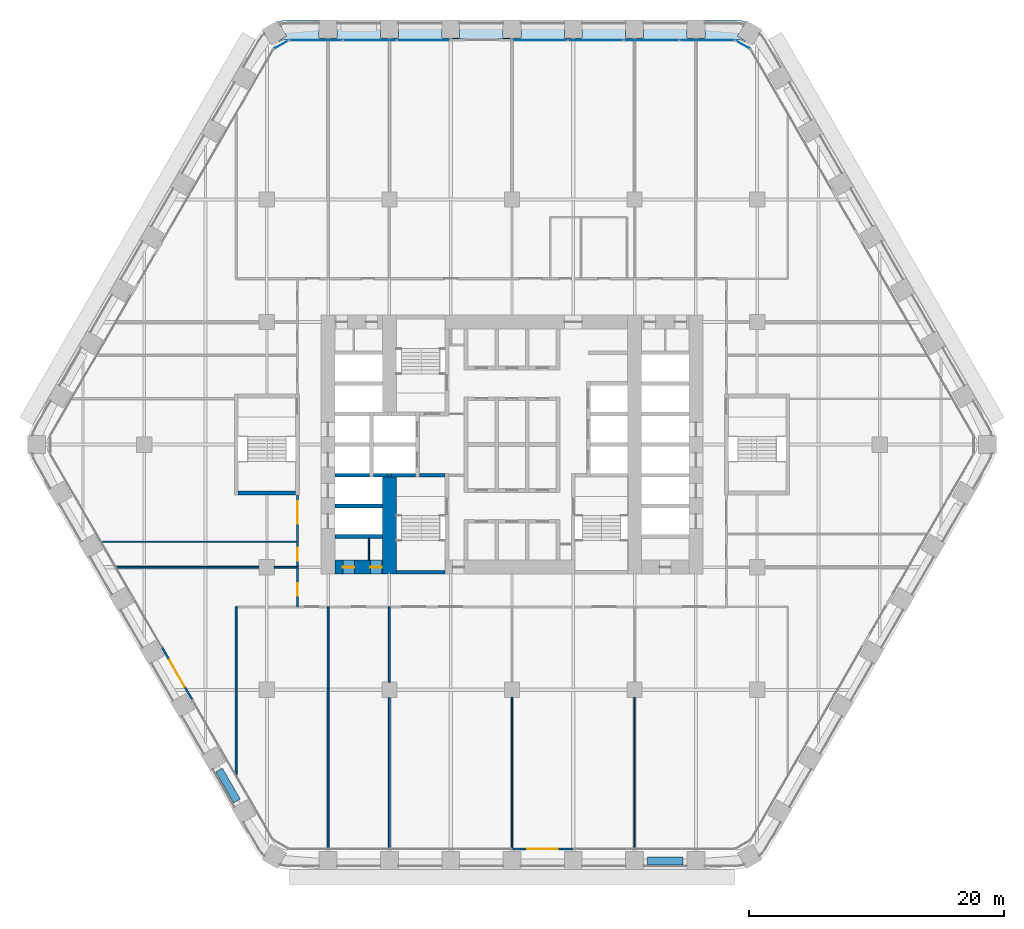
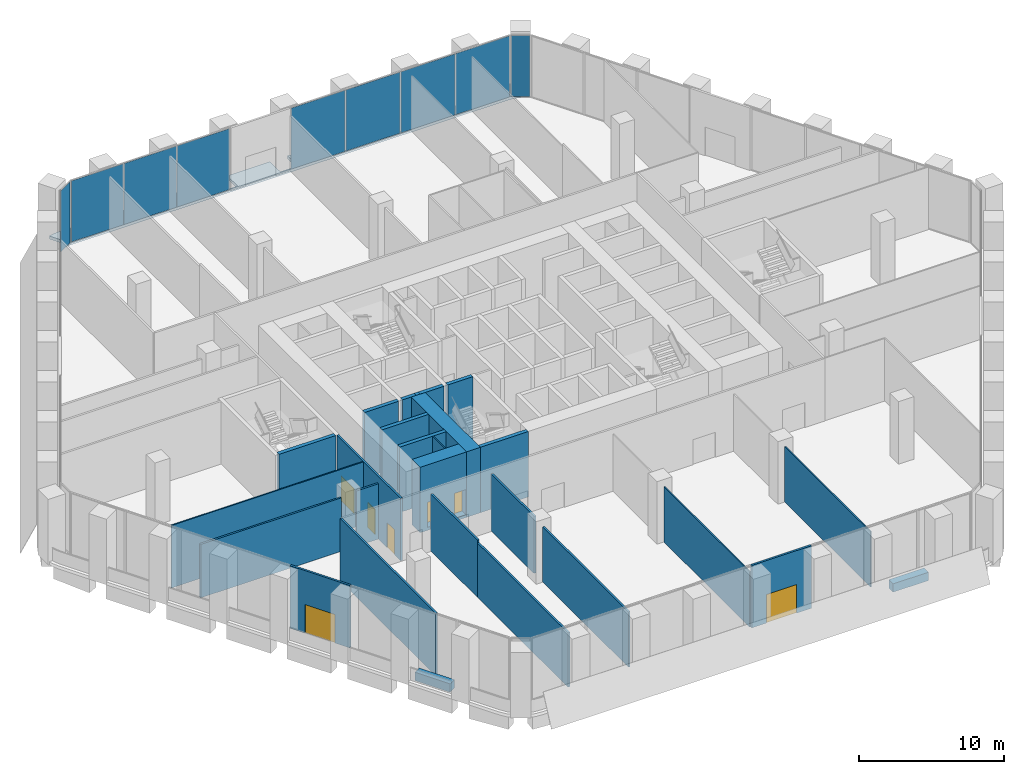
# One storey, part 17 of 27: 27 walls, 9 plates, 7 doors, 1 slab, 7 openings, 4 elements without a shape of their own.
"""IFC4 building model written with IfcOpenShell, lengths in metres."""

from ifc_helpers import new_model, si_unit, direction, frame, frame_2d, origin, origin_2d, place, context, subcontext, project, spatial, polyline, rectangle, outline, extrude, material, layer, layer_set, type_object, element, fill, aggregate, save


model = new_model("IFC4")

# Units and contexts
model_context = context("Model", 3, precision=1e-05, world=origin(), true_north=direction((0.0, 1.0)))
body_context = subcontext(model_context, "Body", "Model", "MODEL_VIEW")
ifc_project = project(units=[si_unit("LENGTHUNIT", "METRE"), si_unit("AREAUNIT", "SQUARE_METRE"), si_unit("VOLUMEUNIT", "CUBIC_METRE"), si_unit("PLANEANGLEUNIT", "RADIAN"), si_unit("MASSUNIT", "GRAM", prefix="KILO")], contexts=[model_context])

# Site, building, storey
site_placement = place(None, origin())
site = spatial("IfcSite", under=ifc_project, at=site_placement, CompositionType="ELEMENT")
building_placement = place(site_placement, origin())
building = spatial("IfcBuilding", under=site, at=building_placement, Name="Kolab Exchange Tower", CompositionType="ELEMENT")
storey_placement = place(building_placement, frame((0.0, 0.0, 27.89990234375)))
storey = spatial("IfcBuildingStorey", under=building, at=storey_placement, Name="L05", CompositionType="ELEMENT", Elevation=27.89990234375)

# Slab
ifc_material_1 = material(Name="Concrete C35/45", Category="concrete")
ifc_layer_1 = layer(ifc_material_1, 0.25)
ifc_layer_set_1 = layer_set([ifc_layer_1], Name="Concrete C35/45")
slab_type = type_object("IfcSlabType", Name="LOGGIA SLAB 250", PredefinedType="FLOOR", material=ifc_layer_set_1)
slab_placement = place(storey_placement, frame((0.0, 0.0, -0.25)))
element("IfcSlab", 1, at=slab_placement, inside=storey, type_object=slab_type, Name="slab/L05/loggia/0-0", PredefinedType="FLOOR", context=body_context, shape_type="SweptSolid", body=[
    extrude(outline(polyline([(18.218017578125, 31.554443359375), (18.26806640625, 31.64111328125), (17.66162109375, 31.990966796875), (18.31494140625, 33.122314453125), (17.989013671875, 33.209716796875), (17.468017578125, 33.25537109375), (15.10009765625, 33.25537109375), (15.10009765625, 31.85546875), (13.699951171875, 31.85546875), (13.699951171875, 33.25537109375), (10.300048828125, 33.25537109375), (10.300048828125, 31.85546875), (8.89990234375, 31.85546875), (8.89990234375, 33.25537109375), (5.5, 33.25537109375), (5.5, 31.85546875), (4.10009765625, 31.85546875), (4.10009765625, 33.25537109375), (0.699951171875, 33.25537109375), (0.699951171875, 31.85546875), (-0.699951171875, 31.85546875), (-0.699951171875, 33.25537109375), (-4.10009765625, 33.25537109375), (-4.10009765625, 31.85546875), (-5.5, 31.85546875), (-5.5, 33.25537109375), (-8.89990234375, 33.25537109375), (-8.89990234375, 31.85546875), (-10.300048828125, 31.85546875), (-10.300048828125, 33.25537109375), (-13.699951171875, 33.25537109375), (-13.699951171875, 31.85546875), (-15.10009765625, 31.85546875), (-15.10009765625, 33.25537109375), (-17.468017578125, 33.25537109375), (-17.989013671875, 33.209716796875), (-18.31494140625, 33.122314453125), (-17.66162109375, 31.990966796875), (-18.26806640625, 31.64111328125), (-18.218017578125, 31.554443359375), (-17.98095703125, 31.664794921875), (-17.728515625, 31.732666015625), (-17.468017578125, 31.75537109375), (17.468017578125, 31.75537109375), (17.728515625, 31.732666015625), (17.98095703125, 31.664794921875), (18.218017578125, 31.554443359375)])), origin(), (0.0, 0.0, 1.0), 0.25),
])

# Curtain wall, plates
ifc_material_2 = material(Name="Aluminium EN AW-6063 T6", Category="aluminium")
curtain_wall_type = type_object("IfcCurtainWallType", Name="UNITISED LOW ZONE CURTAIN WALL", PredefinedType="NOTDEFINED", material=ifc_material_2)
curtain_wall_1_placement = place(storey_placement, origin())
curtain_wall_1 = element("IfcCurtainWall", 2, at=curtain_wall_1_placement, inside=storey, type_object=curtain_wall_type, Name="cw/L05/F1-1", PredefinedType="NOTDEFINED")
ifc_material_3 = material(Name="Clear insulated glazing unit", Category="glass")
ifc_layer_2 = layer(ifc_material_3, 0.02392578125)
ifc_layer_set_2 = layer_set([ifc_layer_2], Name="Clear insulated glazing unit")
plate_type = type_object("IfcPlateType", Name="UNITISED LOW ZONE GLASS PANEL 24", PredefinedType="CURTAIN_PANEL", material=ifc_layer_set_2)
plate_1_placement = place(storey_placement, frame((-15.341552734375, 31.67529296875, 0.06005859375), z_axis=(0.0, 0.0, 1.0), x_axis=(1.0, 0.0, 0.0)))
plate_1 = element("IfcPlate", 3, at=plate_1_placement, type_object=plate_type, Name="CW1 panel 1.1", PredefinedType="CURTAIN_PANEL", context=body_context, shape_type="SweptSolid", body=[
    extrude(rectangle(XDim=4.132568359375, YDim=0.02392578125, at=origin_2d()), origin(), (0.0, 0.0, 1.0), 5.1298828125),
])
plate_2_placement = place(storey_placement, frame((-11.134033203125, 31.67529296875, 0.06005859375), z_axis=(0.0, 0.0, 1.0), x_axis=(1.0, 0.0, 0.0)))
plate_2 = element("IfcPlate", 4, at=plate_2_placement, type_object=plate_type, Name="CW1 panel 2.1", PredefinedType="CURTAIN_PANEL", context=body_context, shape_type="SweptSolid", body=[
    extrude(rectangle(XDim=4.16259765625, YDim=0.02392578125, at=origin_2d()), origin(), (0.0, 0.0, 1.0), 5.1298828125),
])
plate_3_placement = place(storey_placement, frame((-6.92626953125, 31.67529296875, 0.06005859375), z_axis=(0.0, 0.0, 1.0), x_axis=(1.0, 0.0, 0.0)))
plate_3 = element("IfcPlate", 5, at=plate_3_placement, type_object=plate_type, Name="CW1 panel 3.1", PredefinedType="CURTAIN_PANEL", context=body_context, shape_type="SweptSolid", body=[
    extrude(rectangle(XDim=4.132568359375, YDim=0.02392578125, at=origin_2d()), origin(), (0.0, 0.0, 1.0), 5.1298828125),
])
aggregate(curtain_wall_1, [plate_1, plate_2, plate_3])

curtain_wall_2_placement = place(storey_placement, origin())
curtain_wall_2 = element("IfcCurtainWall", 6, at=curtain_wall_2_placement, inside=storey, type_object=curtain_wall_type, Name="cw/L05/F1-2", PredefinedType="NOTDEFINED")
plate_4_placement = place(storey_placement, frame((2.198486328125, 31.67529296875, 0.06005859375), z_axis=(0.0, 0.0, 1.0), x_axis=(1.0, 0.0, 0.0)))
plate_4 = element("IfcPlate", 7, at=plate_4_placement, type_object=plate_type, Name="CW1 panel 1.1", PredefinedType="CURTAIN_PANEL", context=body_context, shape_type="SweptSolid", body=[
    extrude(rectangle(XDim=4.277099609375, YDim=0.02392578125, at=origin_2d()), origin(), (0.0, 0.0, 1.0), 5.1298828125),
])
plate_5_placement = place(storey_placement, frame((6.550537109375, 31.67529296875, 0.06005859375), z_axis=(0.0, 0.0, 1.0), x_axis=(1.0, 0.0, 0.0)))
plate_5 = element("IfcPlate", 8, at=plate_5_placement, type_object=plate_type, Name="CW1 panel 2.1", PredefinedType="CURTAIN_PANEL", context=body_context, shape_type="SweptSolid", body=[
    extrude(rectangle(XDim=4.306884765625, YDim=0.02392578125, at=origin_2d()), origin(), (0.0, 0.0, 1.0), 5.1298828125),
])
plate_6_placement = place(storey_placement, frame((10.91748046875, 31.67529296875, 0.06005859375), z_axis=(0.0, 0.0, 1.0), x_axis=(1.0, 0.0, 0.0)))
plate_6 = element("IfcPlate", 9, at=plate_6_placement, type_object=plate_type, Name="CW1 panel 3.1", PredefinedType="CURTAIN_PANEL", context=body_context, shape_type="SweptSolid", body=[
    extrude(rectangle(XDim=4.306884765625, YDim=0.02392578125, at=origin_2d()), origin(), (0.0, 0.0, 1.0), 5.1298828125),
])
plate_7_placement = place(storey_placement, frame((15.26953125, 31.67529296875, 0.06005859375), z_axis=(0.0, 0.0, 1.0), x_axis=(1.0, 0.0, 0.0)))
plate_7 = element("IfcPlate", 10, at=plate_7_placement, type_object=plate_type, Name="CW1 panel 4.1", PredefinedType="CURTAIN_PANEL", context=body_context, shape_type="SweptSolid", body=[
    extrude(rectangle(XDim=4.277099609375, YDim=0.02392578125, at=origin_2d()), origin(), (0.0, 0.0, 1.0), 5.1298828125),
])
aggregate(curtain_wall_2, [plate_4, plate_5, plate_6, plate_7])

# Curtain wall, plate
curtain_wall_3_placement = place(storey_placement, origin())
curtain_wall_3 = element("IfcCurtainWall", 11, at=curtain_wall_3_placement, inside=storey, type_object=curtain_wall_type, Name="cw/L05/F1F2-corner", PredefinedType="NOTDEFINED")
plate_8_placement = place(storey_placement, frame((18.082763671875, 31.3203125, 0.06005859375), z_axis=(0.0, 0.0, 1.0), x_axis=(0.866025390869, -0.50000002237, 0.0)))
plate_8 = element("IfcPlate", 12, at=plate_8_placement, type_object=plate_type, Name="CW1 panel 1.1", PredefinedType="CURTAIN_PANEL", context=body_context, shape_type="SweptSolid", body=[
    extrude(rectangle(XDim=1.300048828125, YDim=0.02392578125, at=origin_2d()), origin(), (0.0, 0.0, 1.0), 5.1298828125),
])
aggregate(curtain_wall_3, [plate_8])

curtain_wall_4_placement = place(storey_placement, origin())
curtain_wall_4 = element("IfcCurtainWall", 13, at=curtain_wall_4_placement, inside=storey, type_object=curtain_wall_type, Name="cw/L05/F6F1-corner", PredefinedType="NOTDEFINED")
plate_9_placement = place(storey_placement, frame((-18.082763671875, 31.3203125, 0.06005859375), z_axis=(0.0, 0.0, 1.0), x_axis=(0.866025390869, 0.50000002237, 0.0)))
plate_9 = element("IfcPlate", 14, at=plate_9_placement, type_object=plate_type, Name="CW1 panel 1.1", PredefinedType="CURTAIN_PANEL", context=body_context, shape_type="SweptSolid", body=[
    extrude(rectangle(XDim=1.300048828125, YDim=0.02392578125, at=origin_2d()), origin(), (0.0, 0.0, 1.0), 5.1298828125),
])
aggregate(curtain_wall_4, [plate_9])

# Wall, openings, doors
ifc_material_4 = material(Name="Concrete C80/95", Category="concrete")
ifc_layer_3 = layer(ifc_material_4, 1.10009765625)
ifc_layer_set_3 = layer_set([ifc_layer_3], Name="Concrete C80/95")
wall_type_1 = type_object("IfcWallType", Name="CORE WALL 1100 C80/95", PredefinedType="SHEAR", material=ifc_layer_set_3)
wall_1_placement = place(storey_placement, frame((-13.85009765625, -9.60009765625, -0.25), z_axis=(0.0, 0.0, 1.0), x_axis=(1.0, 0.0, 0.0)))
wall_1 = element("IfcWall", 15, at=wall_1_placement, inside=storey, type_object=wall_type_1, Name="wall/L05/core/002", PredefinedType="SHEAR", context=body_context, shape_type="SweptSolid", body=[
    extrude(rectangle(XDim=3.7001953125, YDim=1.10009765625, at=frame_2d((1.85009765625, 0.0))), origin(), (0.0, 0.0, 1.0), 5.5),
])
opening_1_placement = place(wall_1_placement, frame((0.60009765625, 0.0, 0.25)))
opening_1 = element("IfcOpeningElement", 16, at=opening_1_placement, cuts=wall_1, Name="Opening D6-101", PredefinedType="OPENING", context=body_context, shape_type="SweptSolid", body=[
    extrude(rectangle(XDim=0.89990234375, YDim=2.10009765625, at=frame_2d((0.449951171875, 1.050048828125))), frame((0.0, 0.56005859375, 0.0), z_axis=(0.0, -1.0, 0.0), x_axis=(1.0, 0.0, 0.0)), (0.0, 0.0, 1.0), 1.1201171875),
])
opening_2_placement = place(wall_1_placement, frame((2.75, 0.0, 0.25)))
opening_2 = element("IfcOpeningElement", 17, at=opening_2_placement, cuts=wall_1, Name="Opening D6-102", PredefinedType="OPENING", context=body_context, shape_type="SweptSolid", body=[
    extrude(rectangle(XDim=0.89990234375, YDim=2.10009765625, at=frame_2d((0.449951171875, 1.050048828125))), frame((0.0, 0.56005859375, 0.0), z_axis=(0.0, -1.0, 0.0), x_axis=(1.0, 0.0, 0.0)), (0.0, 0.0, 1.0), 1.1201171875),
])
ifc_material_5 = material(Name="Steel S235", Category="steel")
door_type_1 = type_object("IfcDoorType", Name="CORE DOOR 900 EI 120", OperationType="SINGLE_SWING_LEFT", PredefinedType="DOOR", material=ifc_material_5)
door_1_placement = place(opening_1_placement, origin())
door_1 = element("IfcDoor", 18, at=door_1_placement, inside=storey, type_object=door_type_1, Name="Service room door", OperationType="SINGLE_SWING_RIGHT", OverallHeight=2.10009765625, OverallWidth=0.89990234375, PredefinedType="DOOR", context=body_context, shape_type="SweptSolid", body=[
    extrude(rectangle(XDim=0.89990234375, YDim=2.10009765625, at=frame_2d((0.449951171875, 1.050048828125))), frame((0.0, 0.02490234375, 0.0), z_axis=(0.0, -1.0, 0.0), x_axis=(1.0, 0.0, 0.0)), (0.0, 0.0, 1.0), 0.050048828125),
])
fill(opening_1, door_1)
door_2_placement = place(opening_2_placement, origin())
door_2 = element("IfcDoor", 19, at=door_2_placement, inside=storey, type_object=door_type_1, Name="Service room door", OperationType="SINGLE_SWING_LEFT", OverallHeight=2.10009765625, OverallWidth=0.89990234375, PredefinedType="DOOR", context=body_context, shape_type="SweptSolid", body=[
    extrude(rectangle(XDim=0.89990234375, YDim=2.10009765625, at=frame_2d((0.449951171875, 1.050048828125))), frame((0.0, 0.02490234375, 0.0), z_axis=(0.0, -1.0, 0.0), x_axis=(1.0, 0.0, 0.0)), (0.0, 0.0, 1.0), 0.050048828125),
])
fill(opening_2, door_2)

# Wall
wall_2_placement = place(storey_placement, frame((-9.60009765625, -10.14990234375, -0.25), z_axis=(0.0, 0.0, 1.0), x_axis=(0.0, 1.0, 0.0)))
element("IfcWall", 20, at=wall_2_placement, inside=storey, type_object=wall_type_1, Name="wall/L05/core/059", PredefinedType="SHEAR", context=body_context, shape_type="SweptSolid", body=[
    extrude(rectangle(XDim=7.599853515625, YDim=1.10009765625, at=frame_2d((3.7998046875, 0.0))), origin(), (0.0, 0.0, 1.0), 5.5),
])

# Wall, opening, door
ifc_layer_4 = layer(ifc_material_2, 0.159912109375)
ifc_layer_set_4 = layer_set([ifc_layer_4], Name="Aluminium EN AW-6063 T6")
wall_type_2 = type_object("IfcWallType", Name="DOOR SURROUND WALL 160 ALUMINIUM FRAMED", PredefinedType="PARTITIONING", material=ifc_layer_set_4)
wall_3_placement = place(storey_placement, frame((4.77001953125, -31.67529296875, 0.0), z_axis=(0.0, 0.0, 1.0), x_axis=(-1.0, 0.0, 0.0)))
wall_3 = element("IfcWall", 21, at=wall_3_placement, inside=storey, type_object=wall_type_2, Name="Door surround wall", PredefinedType="PARTITIONING", context=body_context, shape_type="SweptSolid", body=[
    extrude(rectangle(XDim=4.739990234375, YDim=0.159912109375, at=frame_2d((2.3701171875, 0.0))), origin(), (0.0, 0.0, 1.0), 5.25),
])
opening_3_placement = place(wall_3_placement, frame((1.169921875, 0.0, 0.0)))
opening_3 = element("IfcOpeningElement", 22, at=opening_3_placement, cuts=wall_3, Name="Opening GD1-020", PredefinedType="OPENING", context=body_context, shape_type="SweptSolid", body=[
    extrude(rectangle(XDim=2.39990234375, YDim=2.39990234375, at=frame_2d((1.199951171875, 1.199951171875))), frame((0.0, 0.08984375, 0.0), z_axis=(0.0, -1.0, 0.0), x_axis=(1.0, 0.0, 0.0)), (0.0, 0.0, 1.0), 0.179931640625),
])
door_type_2 = type_object("IfcDoorType", Name="LOGGIA SLIDING GLASS DOOR 2400 X 2400", OperationType="DOUBLE_DOOR_SINGLE_SWING", PredefinedType="DOOR", material=ifc_material_2)
door_3_placement = place(opening_3_placement, origin())
door_3 = element("IfcDoor", 23, at=door_3_placement, inside=storey, type_object=door_type_2, Name="Loggia door", OperationType="DOUBLE_DOOR_SLIDING", OverallHeight=2.39990234375, OverallWidth=2.39990234375, PredefinedType="DOOR", context=body_context, shape_type="SweptSolid", body=[
    extrude(rectangle(XDim=2.39990234375, YDim=2.39990234375, at=frame_2d((1.199951171875, 1.199951171875))), frame((0.0, 0.02490234375, 0.0), z_axis=(0.0, -1.0, 0.0), x_axis=(1.0, 0.0, 0.0)), (0.0, 0.0, 1.0), 0.050048828125),
])
fill(opening_3, door_3)

wall_4_placement = place(storey_placement, frame((-25.046630859375, -19.96875, 0.0), z_axis=(0.0, 0.0, 1.0), x_axis=(-0.5000167099, 0.866015756104, 0.0)))
wall_4 = element("IfcWall", 24, at=wall_4_placement, inside=storey, type_object=wall_type_2, Name="Door surround wall", PredefinedType="PARTITIONING", context=body_context, shape_type="SweptSolid", body=[
    extrude(rectangle(XDim=4.739990234375, YDim=0.159912109375, at=frame_2d((2.3701171875, 0.0))), origin(), (0.0, 0.0, 1.0), 5.25),
])
opening_4_placement = place(wall_4_placement, frame((1.169921875, 0.0, 0.0)))
opening_4 = element("IfcOpeningElement", 25, at=opening_4_placement, cuts=wall_4, Name="Opening GD1-021", PredefinedType="OPENING", context=body_context, shape_type="SweptSolid", body=[
    extrude(rectangle(XDim=2.39990234375, YDim=2.39990234375, at=frame_2d((1.199951171875, 1.199951171875))), frame((0.0, 0.08984375, 0.0), z_axis=(0.0, -1.0, 0.0), x_axis=(1.0, 0.0, 0.0)), (0.0, 0.0, 1.0), 0.179931640625),
])
door_4_placement = place(opening_4_placement, origin())
door_4 = element("IfcDoor", 26, at=door_4_placement, inside=storey, type_object=door_type_2, Name="Loggia door", OperationType="DOUBLE_DOOR_SLIDING", OverallHeight=2.39990234375, OverallWidth=2.39990234375, PredefinedType="DOOR", context=body_context, shape_type="SweptSolid", body=[
    extrude(rectangle(XDim=2.39990234375, YDim=2.39990234375, at=frame_2d((1.199951171875, 1.199951171875))), frame((0.0, 0.02490234375, 0.0), z_axis=(0.0, -1.0, 0.0), x_axis=(1.0, 0.0, 0.0)), (0.0, 0.0, 1.0), 0.050048828125),
])
fill(opening_4, door_4)

# Walls
ifc_material_6 = material(Name="Concrete C50/60", Category="concrete")
ifc_layer_5 = layer(ifc_material_6, 0.300048828125)
ifc_layer_set_5 = layer_set([ifc_layer_5], Name="Concrete C50/60")
wall_type_3 = type_object("IfcWallType", Name="LIFT SHAFT WALL 300 C50/60", PredefinedType="STANDARD", material=ifc_layer_set_5)
for number, where, z_axis, x_axis, name in (
    (27, (-13.85009765625, -7.199951171875, -0.25), (0.0, 0.0, 1.0), (1.0, 0.0, 0.0), "wall/L05/core/005"),
    (28, (-13.85009765625, -4.800048828125, -0.25), (0.0, 0.0, 1.0), (1.0, 0.0, 0.0), "wall/L05/core/010"),
):
    element("IfcWall", number, at=place(storey_placement, frame(where, z_axis=z_axis, x_axis=x_axis)), inside=storey, type_object=wall_type_3, Name=name, PredefinedType="STANDARD", context=body_context, shape_type="SweptSolid", body=[
        extrude(rectangle(XDim=3.7001953125, YDim=0.300048828125, at=frame_2d((1.85009765625, 0.0))), origin(), (0.0, 0.0, 1.0), 5.5),
    ])
wall_5_placement = place(storey_placement, frame((-13.85009765625, -2.39990234375, -0.25), z_axis=(0.0, 0.0, 1.0), x_axis=(1.0, 0.0, 0.0)))
element("IfcWall", 29, at=wall_5_placement, inside=storey, type_object=wall_type_3, Name="wall/L05/core/017", PredefinedType="STANDARD", context=body_context, shape_type="SweptSolid", body=[
    extrude(rectangle(XDim=2.7001953125, YDim=0.300048828125, at=frame_2d((1.35009765625, 0.0))), origin(), (0.0, 0.0, 1.0), 5.5),
])
wall_6_placement = place(storey_placement, frame((-10.85009765625, -2.39990234375, -0.25), z_axis=(0.0, 0.0, 1.0), x_axis=(1.0, 0.0, 0.0)))
element("IfcWall", 30, at=wall_6_placement, inside=storey, type_object=wall_type_3, Name="wall/L05/core/018", PredefinedType="STANDARD", context=body_context, shape_type="SweptSolid", body=[
    extrude(rectangle(XDim=1.10009765625, YDim=0.300048828125, at=frame_2d((0.550048828125, 0.0))), origin(), (0.0, 0.0, 1.0), 5.5),
])
ifc_material_7 = material(Name="Gypsum board", Category="gypsum")
ifc_layer_6 = layer(ifc_material_7, 0.10009765625)
ifc_layer_set_6 = layer_set([ifc_layer_6], Name="Gypsum board")
wall_type_4 = type_object("IfcWallType", Name="PARTITION 100", PredefinedType="PARTITIONING", material=ifc_layer_set_6)
wall_7_placement = place(storey_placement, frame((9.60009765625, -31.58544921875, 0.0), z_axis=(0.0, 0.0, 1.0), x_axis=(0.0, 1.0, 0.0)))
element("IfcWall", 31, at=wall_7_placement, inside=storey, type_object=wall_type_4, Name="Partition 006", PredefinedType="PARTITIONING", context=body_context, shape_type="SweptSolid", body=[
    extrude(rectangle(XDim=11.785400390625, YDim=0.10009765625, at=frame_2d((5.892578125, 0.0))), origin(), (0.0, 0.0, 1.0), 4.64208984375),
])
wall_8_placement = place(storey_placement, frame((0.0, -31.595458984375, 0.0), z_axis=(0.0, 0.0, 1.0), x_axis=(0.0, 1.0, 0.0)))
element("IfcWall", 32, at=wall_8_placement, inside=storey, type_object=wall_type_4, Name="Partition 013", PredefinedType="PARTITIONING", context=body_context, shape_type="SweptSolid", body=[
    extrude(rectangle(XDim=11.79541015625, YDim=0.10009765625, at=frame_2d((5.897705078125, 0.0))), origin(), (0.0, 0.0, 1.0), 4.64208984375),
])
wall_9_placement = place(storey_placement, frame((-11.199951171875, -9.050048828125, 0.0), z_axis=(0.0, 0.0, 1.0), x_axis=(0.0, 1.0, 0.0)))
element("IfcWall", 33, at=wall_9_placement, inside=storey, type_object=wall_type_4, Name="Partition 022", PredefinedType="PARTITIONING", context=body_context, shape_type="SweptSolid", body=[
    extrude(rectangle(XDim=1.699951171875, YDim=0.10009765625, at=frame_2d((0.85009765625, 0.0))), origin(), (0.0, 0.0, 1.0), 5.25),
])
wall_10_placement = place(storey_placement, frame((-32.1416015625, -7.60009765625, 0.0), z_axis=(0.0, 0.0, 1.0), x_axis=(1.0, 0.0, 0.0)))
element("IfcWall", 34, at=wall_10_placement, inside=storey, type_object=wall_type_4, Name="Partition 037", PredefinedType="PARTITIONING", context=body_context, shape_type="SweptSolid", body=[
    extrude(rectangle(XDim=15.341552734375, YDim=0.10009765625, at=frame_2d((7.6708984375, 0.0))), origin(), (0.0, 0.0, 1.0), 5.25),
])
ifc_layer_7 = layer(ifc_material_7, 0.14990234375)
ifc_layer_set_7 = layer_set([ifc_layer_7], Name="Gypsum board")
wall_type_5 = type_object("IfcWallType", Name="PARTITION 150 FIRE-RATED", PredefinedType="PARTITIONING", material=ifc_layer_set_7)
wall_11_placement = place(storey_placement, frame((-9.60009765625, -31.58544921875, 0.0), z_axis=(0.0, 0.0, 1.0), x_axis=(0.0, 1.0, 0.0)))
element("IfcWall", 35, at=wall_11_placement, inside=storey, type_object=wall_type_5, Name="Partition 018", PredefinedType="PARTITIONING", context=body_context, shape_type="SweptSolid", body=[
    extrude(rectangle(XDim=11.785400390625, YDim=0.14990234375, at=frame_2d((5.892578125, 0.0))), origin(), (0.0, 0.0, 1.0), 4.64208984375),
])
wall_12_placement = place(storey_placement, frame((-9.60009765625, -18.60009765625, 0.0), z_axis=(0.0, 0.0, 1.0), x_axis=(0.0, 1.0, 0.0)))
element("IfcWall", 36, at=wall_12_placement, inside=storey, type_object=wall_type_5, Name="Partition 019", PredefinedType="PARTITIONING", context=body_context, shape_type="SweptSolid", body=[
    extrude(rectangle(XDim=5.900146484375, YDim=0.14990234375, at=frame_2d((2.9501953125, 0.0))), origin(), (0.0, 0.0, 1.0), 4.793212890625),
])
wall_13_placement = place(storey_placement, frame((-14.39990234375, -31.58544921875, 0.0), z_axis=(0.0, 0.0, 1.0), x_axis=(0.0, 1.0, 0.0)))
element("IfcWall", 37, at=wall_13_placement, inside=storey, type_object=wall_type_5, Name="Partition 024", PredefinedType="PARTITIONING", context=body_context, shape_type="SweptSolid", body=[
    extrude(rectangle(XDim=12.472412109375, YDim=0.14990234375, at=frame_2d((6.236328125, 0.0))), origin(), (0.0, 0.0, 1.0), 4.566162109375),
])
wall_14_placement = place(storey_placement, frame((-14.39990234375, -19.113037109375, 0.0), z_axis=(0.0, 0.0, 1.0), x_axis=(0.0, 1.0, 0.0)))
element("IfcWall", 38, at=wall_14_placement, inside=storey, type_object=wall_type_5, Name="Partition 024", PredefinedType="PARTITIONING", context=body_context, shape_type="SweptSolid", body=[
    extrude(rectangle(XDim=6.4130859375, YDim=0.14990234375, at=frame_2d((3.20654296875, 0.0))), origin(), (0.0, 0.0, 1.0), 4.793212890625),
])

# Wall, openings, doors
wall_15_placement = place(storey_placement, frame((-16.800048828125, -12.699951171875, 0.0), z_axis=(0.0, 0.0, 1.0), x_axis=(0.0, 1.0, 0.0)))
wall_15 = element("IfcWall", 39, at=wall_15_placement, inside=storey, type_object=wall_type_5, Name="Partition 026", PredefinedType="PARTITIONING", context=body_context, shape_type="SweptSolid", body=[
    extrude(rectangle(XDim=8.75, YDim=0.14990234375, at=frame_2d((4.375, 0.0))), origin(), (0.0, 0.0, 1.0), 5.25),
])
opening_5_placement = place(wall_15_placement, frame((0.85009765625, 0.0, 0.0)))
opening_5 = element("IfcOpeningElement", 40, at=opening_5_placement, cuts=wall_15, Name="Opening D1-078", PredefinedType="OPENING", context=body_context, shape_type="SweptSolid", body=[
    extrude(rectangle(XDim=1.0, YDim=2.10009765625, at=frame_2d((0.5, 1.050048828125))), frame((0.0, 0.0849609375, 0.0), z_axis=(0.0, -1.0, 0.0), x_axis=(1.0, 0.0, 0.0)), (0.0, 0.0, 1.0), 0.169921875),
])
opening_6_placement = place(wall_15_placement, frame((3.614990234375, 0.0, 0.0)))
opening_6 = element("IfcOpeningElement", 41, at=opening_6_placement, cuts=wall_15, Name="Opening D1-079", PredefinedType="OPENING", context=body_context, shape_type="SweptSolid", body=[
    extrude(rectangle(XDim=1.0, YDim=2.10009765625, at=frame_2d((0.5, 1.050048828125))), frame((0.0, 0.0849609375, 0.0), z_axis=(0.0, -1.0, 0.0), x_axis=(1.0, 0.0, 0.0)), (0.0, 0.0, 1.0), 0.169921875),
])
opening_7_placement = place(wall_15_placement, frame((6.485107421875, 0.0, 0.0)))
opening_7 = element("IfcOpeningElement", 42, at=opening_7_placement, cuts=wall_15, Name="Opening D2-014", PredefinedType="OPENING", context=body_context, shape_type="SweptSolid", body=[
    extrude(rectangle(XDim=1.800048828125, YDim=2.10009765625, at=frame_2d((0.89990234375, 1.050048828125))), frame((0.0, 0.0849609375, 0.0), z_axis=(0.0, -1.0, 0.0), x_axis=(1.0, 0.0, 0.0)), (0.0, 0.0, 1.0), 0.169921875),
])
door_type_3 = type_object("IfcDoorType", Name="DOUBLE DOOR 1800 FD60", OperationType="DOUBLE_DOOR_SINGLE_SWING", PredefinedType="DOOR", material=ifc_material_5)
door_5_placement = place(opening_7_placement, origin())
door_5 = element("IfcDoor", 43, at=door_5_placement, inside=storey, type_object=door_type_3, Name="Door L05-067", OperationType="SINGLE_SWING_RIGHT", OverallHeight=2.10009765625, OverallWidth=1.800048828125, PredefinedType="DOOR", context=body_context, shape_type="SweptSolid", body=[
    extrude(rectangle(XDim=1.800048828125, YDim=2.10009765625, at=frame_2d((0.89990234375, 1.050048828125))), frame((0.0, 0.02490234375, 0.0), z_axis=(0.0, -1.0, 0.0), x_axis=(1.0, 0.0, 0.0)), (0.0, 0.0, 1.0), 0.050048828125),
])
fill(opening_7, door_5)
door_type_4 = type_object("IfcDoorType", Name="FLUSH DOOR 1000 FD60", OperationType="SINGLE_SWING_LEFT", PredefinedType="DOOR", material=ifc_material_5)
door_6_placement = place(opening_5_placement, origin())
door_6 = element("IfcDoor", 44, at=door_6_placement, inside=storey, type_object=door_type_4, Name="Door L05-065", OperationType="SINGLE_SWING_LEFT", OverallHeight=2.10009765625, OverallWidth=1.0, PredefinedType="DOOR", context=body_context, shape_type="SweptSolid", body=[
    extrude(rectangle(XDim=1.0, YDim=2.10009765625, at=frame_2d((0.5, 1.050048828125))), frame((0.0, 0.02490234375, 0.0), z_axis=(0.0, -1.0, 0.0), x_axis=(1.0, 0.0, 0.0)), (0.0, 0.0, 1.0), 0.050048828125),
])
fill(opening_5, door_6)
door_7_placement = place(opening_6_placement, origin())
door_7 = element("IfcDoor", 45, at=door_7_placement, inside=storey, type_object=door_type_4, Name="Door L05-066", OperationType="SINGLE_SWING_RIGHT", OverallHeight=2.10009765625, OverallWidth=1.0, PredefinedType="DOOR", context=body_context, shape_type="SweptSolid", body=[
    extrude(rectangle(XDim=1.0, YDim=2.10009765625, at=frame_2d((0.5, 1.050048828125))), frame((0.0, 0.02490234375, 0.0), z_axis=(0.0, -1.0, 0.0), x_axis=(1.0, 0.0, 0.0)), (0.0, 0.0, 1.0), 0.050048828125),
])
fill(opening_6, door_7)

# Walls
wall_16_placement = place(storey_placement, frame((-21.60009765625, -25.8583984375, 0.0), z_axis=(0.0, 0.0, 1.0), x_axis=(0.0, 1.0, 0.0)))
element("IfcWall", 46, at=wall_16_placement, inside=storey, type_object=wall_type_5, Name="Partition 028", PredefinedType="PARTITIONING", context=body_context, shape_type="SweptSolid", body=[
    extrude(rectangle(XDim=13.158447265625, YDim=0.14990234375, at=frame_2d((6.5791015625, 0.0))), origin(), (0.0, 0.0, 1.0), 5.25),
])
wall_17_placement = place(storey_placement, frame((-30.98681640625, -9.60009765625, 0.0), z_axis=(0.0, 0.0, 1.0), x_axis=(1.0, 0.0, 0.0)))
element("IfcWall", 47, at=wall_17_placement, inside=storey, type_object=wall_type_5, Name="Partition 034", PredefinedType="PARTITIONING", context=body_context, shape_type="SweptSolid", body=[
    extrude(rectangle(XDim=11.186767578125, YDim=0.14990234375, at=frame_2d((5.59326171875, 0.0))), origin(), (0.0, 0.0, 1.0), 4.488037109375),
])
wall_18_placement = place(storey_placement, frame((-18.60009765625, -9.60009765625, 0.0), z_axis=(0.0, 0.0, 1.0), x_axis=(1.0, 0.0, 0.0)))
element("IfcWall", 48, at=wall_18_placement, inside=storey, type_object=wall_type_5, Name="Partition 035", PredefinedType="PARTITIONING", context=body_context, shape_type="SweptSolid", body=[
    extrude(rectangle(XDim=1.800048828125, YDim=0.14990234375, at=frame_2d((0.89990234375, 0.0))), origin(), (0.0, 0.0, 1.0), 4.64208984375),
])
ifc_material_8 = material(Name="Granite facing", Category="masonry")
ifc_layer_8 = layer(ifc_material_8, 0.0400390625)
ifc_material_9 = material(Name="Concrete C40/50 precast", Category="concrete")
ifc_layer_9 = layer(ifc_material_9, 0.56005859375)
ifc_layer_set_8 = layer_set([ifc_layer_8, ifc_layer_9], Name="Concrete C40/50 precast")
wall_type_6 = type_object("IfcWallType", Name="PLANTER BOX 600 X 700 SOIL DEPTH 550", PredefinedType="USERDEFINED", material=ifc_layer_set_8)
for number, where, z_axis, x_axis, name in (
    (49, (13.39990234375, -32.60546875, 0.0), (0.0, 0.0, 1.0), (-1.0, 0.0, 0.0), "Planter"),
    (50, (-21.537109375, -27.907470703125, 0.0), (0.0, 0.0, 1.0), (-0.49998411664, 0.866034573852, 0.0), "Planter"),
):
    element("IfcWall", number, at=place(storey_placement, frame(where, z_axis=z_axis, x_axis=x_axis)), inside=storey, type_object=wall_type_6, Name=name, ObjectType="PLANTER", PredefinedType="USERDEFINED", context=body_context, shape_type="SweptSolid", body=[
        extrude(rectangle(XDim=2.7998046875, YDim=0.60009765625, at=frame_2d((1.39990234375, 0.0))), origin(), (0.0, 0.0, 1.0), 0.7001953125),
    ])
ifc_layer_10 = layer(ifc_material_6, 0.300048828125)
ifc_layer_set_9 = layer_set([ifc_layer_10], Name="Concrete C50/60")
wall_type_7 = type_object("IfcWallType", Name="STAIR ENCLOSURE WALL 300 C50/60", PredefinedType="STANDARD", material=ifc_layer_set_9)
wall_19_placement = place(storey_placement, frame((-9.050048828125, -10.0, -0.25), z_axis=(0.0, 0.0, 1.0), x_axis=(1.0, 0.0, 0.0)))
element("IfcWall", 51, at=wall_19_placement, inside=storey, type_object=wall_type_7, Name="wall/L05/core/000", PredefinedType="STANDARD", context=body_context, shape_type="SweptSolid", body=[
    extrude(rectangle(XDim=3.800048828125, YDim=0.300048828125, at=frame_2d((1.89990234375, 0.0))), origin(), (0.0, 0.0, 1.0), 5.5),
])
wall_20_placement = place(storey_placement, frame((-21.449951171875, -3.800048828125, -0.25), z_axis=(0.0, 0.0, 1.0), x_axis=(1.0, 0.0, 0.0)))
element("IfcWall", 52, at=wall_20_placement, inside=storey, type_object=wall_type_7, Name="wall/L05/core/012", PredefinedType="STANDARD", context=body_context, shape_type="SweptSolid", body=[
    extrude(rectangle(XDim=4.5, YDim=0.300048828125, at=frame_2d((2.25, 0.0))), origin(), (0.0, 0.0, 1.0), 5.5),
])
wall_21_placement = place(storey_placement, frame((-9.449951171875, -2.39990234375, -0.25), z_axis=(0.0, 0.0, 1.0), x_axis=(1.0, 0.0, 0.0)))
element("IfcWall", 53, at=wall_21_placement, inside=storey, type_object=wall_type_7, Name="wall/L05/core/019", PredefinedType="STANDARD", context=body_context, shape_type="SweptSolid", body=[
    extrude(rectangle(XDim=1.89990234375, YDim=0.300048828125, at=frame_2d((0.949951171875, 0.0))), origin(), (0.0, 0.0, 1.0), 5.5),
])
wall_22_placement = place(storey_placement, frame((-7.25, -2.39990234375, -0.25), z_axis=(0.0, 0.0, 1.0), x_axis=(1.0, 0.0, 0.0)))
element("IfcWall", 54, at=wall_22_placement, inside=storey, type_object=wall_type_7, Name="wall/L05/core/020", PredefinedType="STANDARD", context=body_context, shape_type="SweptSolid", body=[
    extrude(rectangle(XDim=2.0, YDim=0.300048828125, at=frame_2d((1.0, 0.0))), origin(), (0.0, 0.0, 1.0), 5.5),
])
wall_23_placement = place(storey_placement, frame((-9.60009765625, -2.550048828125, -0.25), z_axis=(0.0, 0.0, 1.0), x_axis=(0.0, 1.0, 0.0)))
element("IfcWall", 55, at=wall_23_placement, inside=storey, type_object=wall_type_7, Name="wall/L05/core/060", PredefinedType="STANDARD", context=body_context, shape_type="SweptSolid", body=[
    extrude(rectangle(XDim=0.300048828125, YDim=0.300048828125, at=frame_2d((0.14990234375, 0.0))), origin(), (0.0, 0.0, 1.0), 5.5),
])

save(model, "model.ifc")
